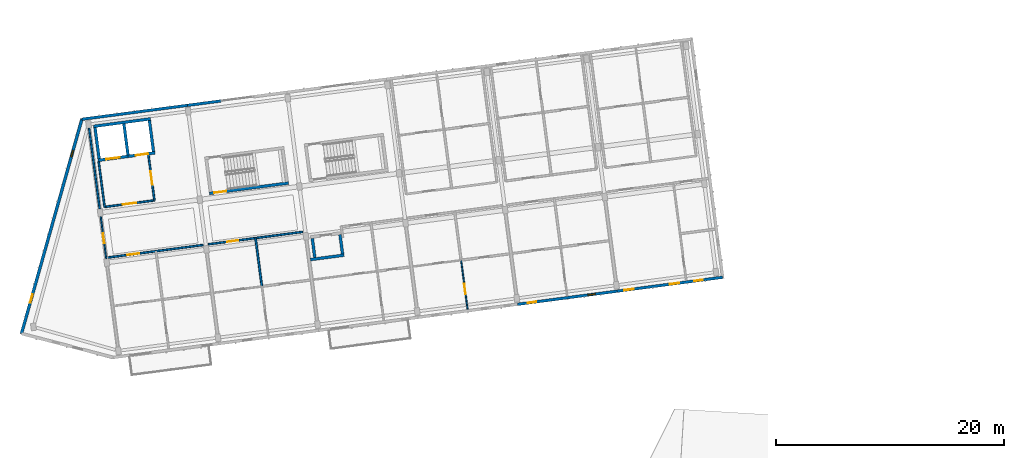
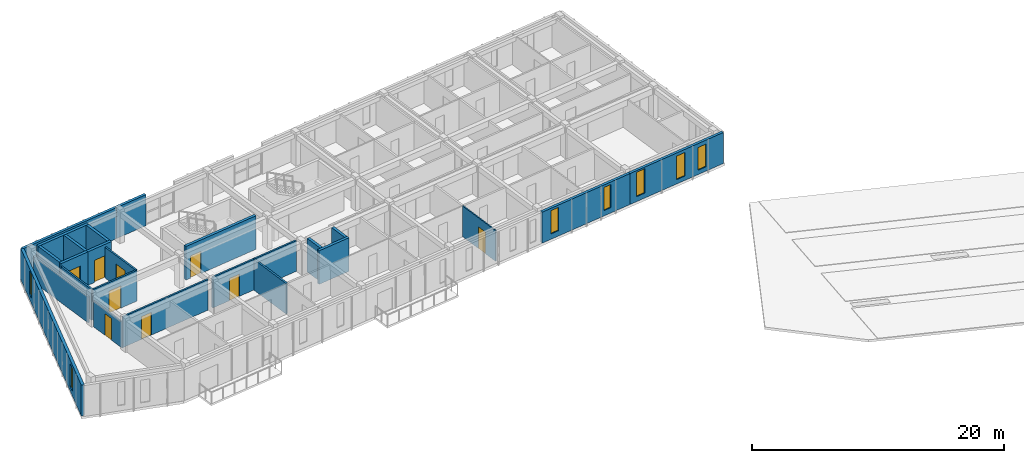
# One storey, part 12 of 34: 24 walls, 9 doors, 7 windows, 16 openings.
"""IFC4 building model written with IfcOpenShell, lengths in metres."""

from ifc_helpers import new_model, si_unit, direction, frame, frame_2d, origin, place, context, subcontext, project, spatial, rectangle, extrude, material, layer, layer_set, type_object, element, fill, save


model = new_model("IFC4")

# Units and contexts
model_context = context("Model", 3, precision=1e-05, world=origin(), true_north=direction((0.0, 1.0)))
body_context = subcontext(model_context, "Body", "Model", "MODEL_VIEW")
ifc_project = project(units=[si_unit("LENGTHUNIT", "METRE"), si_unit("AREAUNIT", "SQUARE_METRE"), si_unit("VOLUMEUNIT", "CUBIC_METRE"), si_unit("PLANEANGLEUNIT", "RADIAN"), si_unit("MASSUNIT", "GRAM", prefix="KILO")], contexts=[model_context])

# Site, building, storey
site_placement = place(None, origin())
site = spatial("IfcSite", under=ifc_project, at=site_placement, CompositionType="ELEMENT")
building_placement = place(site_placement, origin())
building = spatial("IfcBuilding", under=site, at=building_placement, Name="Kestramere Prow Commons", CompositionType="ELEMENT")
storey_placement = place(building_placement, frame((0.0, 0.0, 34.39990234375)))
storey = spatial("IfcBuildingStorey", under=building, at=storey_placement, Name="L10", CompositionType="ELEMENT", Elevation=34.39990234375)

# Wall, openings, windows
ifc_material_1 = material(Name="Weathered Zinc-Titanium Standing-Seam Cladding")
ifc_layer_1 = layer(ifc_material_1, 0.260009765625)
ifc_layer_set_1 = layer_set([ifc_layer_1], Name="Weathered Zinc-Titanium Standing-Seam Cladding")
wall_type_1 = type_object("IfcWallType", Name="EW-PROW-260", PredefinedType="SOLIDWALL", material=ifc_layer_set_1)
wall_1_placement = place(storey_placement, frame((2.7109375, 73.5048828125, 0.0), z_axis=(0.0, 0.0, 1.0), x_axis=(0.271165263368, 0.962532804606, 0.0)))
wall_1 = element("IfcWall", 1, at=wall_1_placement, inside=storey, type_object=wall_type_1, Name="Block A L10 PRW-N Facet Wall", PredefinedType="SOLIDWALL", context=body_context, shape_type="SweptSolid", body=[
    extrude(rectangle(XDim=19.5068359375, YDim=0.260009765625, at=frame_2d((9.75341796875, 0.0))), origin(), (0.0, 0.0, 1.0), 3.0),
])
opening_1_placement = place(wall_1_placement, frame((2.81005859375, 0.0, 0.449951171875)))
opening_1 = element("IfcOpeningElement", 2, at=opening_1_placement, cuts=wall_1, Name="Opening WN-11", PredefinedType="OPENING", context=body_context, shape_type="SweptSolid", body=[
    extrude(rectangle(XDim=0.780029296875, YDim=2.199951171875, at=frame_2d((0.39013671875, 1.10009765625))), frame((0.0, 0.14501953125, 0.0), z_axis=(0.0, -1.0, 0.0), x_axis=(1.0, 0.0, 0.0)), (0.0, 0.0, 1.0), 0.2900390625),
])
opening_2_placement = place(wall_1_placement, frame((16.076904296875, 0.0, 0.52001953125)))
opening_2 = element("IfcOpeningElement", 3, at=opening_2_placement, cuts=wall_1, Name="Opening WN-03", PredefinedType="OPENING", context=body_context, shape_type="SweptSolid", body=[
    extrude(rectangle(XDim=0.6201171875, YDim=2.280029296875, at=frame_2d((0.31005859375, 1.14013671875))), frame((0.0, 0.14501953125, 0.0), z_axis=(0.0, -1.0, 0.0), x_axis=(1.0, 0.0, 0.0)), (0.0, 0.0, 1.0), 0.2900390625),
])
ifc_material_2 = material(Name="Low-E Laminated Double Glazing", Category="glass")
window_type_1 = type_object("IfcWindowType", Name="WN-NAR-620A", PartitioningType="SINGLE_PANEL", PredefinedType="WINDOW", material=ifc_material_2)
window_1_placement = place(opening_2_placement, origin())
window_1 = element("IfcWindow", 4, at=window_1_placement, inside=storey, type_object=window_type_1, Name="WN-A-L10-PRW-N-1", OverallHeight=2.280029296875, OverallWidth=0.6201171875, PartitioningType="SINGLE_PANEL", PredefinedType="WINDOW", context=body_context, shape_type="SweptSolid", body=[
    extrude(rectangle(XDim=0.6201171875, YDim=2.280029296875, at=frame_2d((0.31005859375, 1.14013671875))), frame((0.0, 0.030029296875, 0.0), z_axis=(0.0, -1.0, 0.0), x_axis=(1.0, 0.0, 0.0)), (0.0, 0.0, 1.0), 0.06005859375),
])
fill(opening_2, window_1)
window_type_2 = type_object("IfcWindowType", Name="WN-NAR-780A", PartitioningType="SINGLE_PANEL", PredefinedType="WINDOW", material=ifc_material_2)
window_2_placement = place(opening_1_placement, origin())
window_2 = element("IfcWindow", 5, at=window_2_placement, inside=storey, type_object=window_type_2, Name="WN-A-L10-PRW-N-0", OverallHeight=2.199951171875, OverallWidth=0.780029296875, PartitioningType="SINGLE_PANEL", PredefinedType="WINDOW", context=body_context, shape_type="SweptSolid", body=[
    extrude(rectangle(XDim=0.780029296875, YDim=2.199951171875, at=frame_2d((0.39013671875, 1.10009765625))), frame((0.0, 0.030029296875, 0.0), z_axis=(0.0, -1.0, 0.0), x_axis=(1.0, 0.0, 0.0)), (0.0, 0.0, 1.0), 0.06005859375),
])
fill(opening_1, window_2)

ifc_material_3 = material(Name="Fluoropolymer Standing-Seam Zinc-Aluminium Cladding", Category="aluminium")
ifc_layer_2 = layer(ifc_material_3, 0.239990234375)
ifc_layer_set_2 = layer_set([ifc_layer_2], Name="Fluoropolymer Standing-Seam Zinc-Aluminium Cladding")
wall_type_2 = type_object("IfcWallType", Name="EW-SEAM-240", PredefinedType="SOLIDWALL", material=ifc_layer_set_2)
wall_2_placement = place(storey_placement, frame((54.89208984375, 77.22265625, 0.0), z_axis=(0.0, 0.0, 1.0), x_axis=(-0.991443905089, -0.130533455715, 0.0)))
wall_2 = element("IfcWall", 6, at=wall_2_placement, inside=storey, type_object=wall_type_2, Name="Block A L10 South Standing-Seam Wall 5", PredefinedType="SOLIDWALL", context=body_context, shape_type="SweptSolid", body=[
    extrude(rectangle(XDim=8.7998046875, YDim=0.239990234375, at=frame_2d((4.39990234375, 0.0))), origin(), (0.0, 0.0, 1.0), 3.0),
])
opening_3_placement = place(wall_2_placement, frame((1.927734375, 0.0, 0.52001953125)))
opening_3 = element("IfcOpeningElement", 7, at=opening_3_placement, cuts=wall_2, Name="Opening WN-06", PredefinedType="OPENING", context=body_context, shape_type="SweptSolid", body=[
    extrude(rectangle(XDim=0.679931640625, YDim=2.239990234375, at=frame_2d((0.33984375, 1.1201171875))), frame((0.0, 0.135009765625, 0.0), z_axis=(0.0, -1.0, 0.0), x_axis=(1.0, 0.0, 0.0)), (0.0, 0.0, 1.0), 0.27001953125),
])
opening_4_placement = place(wall_2_placement, frame((7.156005859375, 0.0, 0.52001953125)))
opening_4 = element("IfcOpeningElement", 8, at=opening_4_placement, cuts=wall_2, Name="Opening WN-09", PredefinedType="OPENING", context=body_context, shape_type="SweptSolid", body=[
    extrude(rectangle(XDim=0.739990234375, YDim=2.260009765625, at=frame_2d((0.3701171875, 1.1298828125))), frame((0.0, 0.135009765625, 0.0), z_axis=(0.0, -1.0, 0.0), x_axis=(1.0, 0.0, 0.0)), (0.0, 0.0, 1.0), 0.27001953125),
])
window_type_3 = type_object("IfcWindowType", Name="WN-NAR-680A", PartitioningType="SINGLE_PANEL", PredefinedType="WINDOW", material=ifc_material_2)
window_3_placement = place(opening_3_placement, origin())
window_3 = element("IfcWindow", 9, at=window_3_placement, inside=storey, type_object=window_type_3, Name="WN-A-L10-S-4-00", OverallHeight=2.239990234375, OverallWidth=0.679931640625, PartitioningType="SINGLE_PANEL", PredefinedType="WINDOW", context=body_context, shape_type="SweptSolid", body=[
    extrude(rectangle(XDim=0.679931640625, YDim=2.239990234375, at=frame_2d((0.33984375, 1.1201171875))), frame((0.0, 0.030029296875, 0.0), z_axis=(0.0, -1.0, 0.0), x_axis=(1.0, 0.0, 0.0)), (0.0, 0.0, 1.0), 0.06005859375),
])
fill(opening_3, window_3)
window_type_4 = type_object("IfcWindowType", Name="WN-NAR-740A", PartitioningType="SINGLE_PANEL", PredefinedType="WINDOW", material=ifc_material_2)
window_4_placement = place(opening_4_placement, origin())
window_4 = element("IfcWindow", 10, at=window_4_placement, inside=storey, type_object=window_type_4, Name="WN-A-L10-S-4-10", OverallHeight=2.260009765625, OverallWidth=0.739990234375, PartitioningType="SINGLE_PANEL", PredefinedType="WINDOW", context=body_context, shape_type="SweptSolid", body=[
    extrude(rectangle(XDim=0.739990234375, YDim=2.260009765625, at=frame_2d((0.3701171875, 1.1298828125))), frame((0.0, 0.030029296875, 0.0), z_axis=(0.0, -1.0, 0.0), x_axis=(1.0, 0.0, 0.0)), (0.0, 0.0, 1.0), 0.06005859375),
])
fill(opening_4, window_4)

wall_3_placement = place(storey_placement, frame((64.13720703125, 78.439697265625, 0.0), z_axis=(0.0, 0.0, 1.0), x_axis=(-0.991446273426, -0.130515466173, 0.0)))
wall_3 = element("IfcWall", 11, at=wall_3_placement, inside=storey, type_object=wall_type_2, Name="Block A L10 South Standing-Seam Wall 6", PredefinedType="SOLIDWALL", context=body_context, shape_type="SweptSolid", body=[
    extrude(rectangle(XDim=9.324951171875, YDim=0.239990234375, at=frame_2d((4.66259765625, 0.0))), origin(), (0.0, 0.0, 1.0), 3.0),
])
opening_5_placement = place(wall_3_placement, frame((1.747314453125, 0.0, 0.419921875)))
opening_5 = element("IfcOpeningElement", 12, at=opening_5_placement, cuts=wall_3, Name="Opening WN-11", PredefinedType="OPENING", context=body_context, shape_type="SweptSolid", body=[
    extrude(rectangle(XDim=0.780029296875, YDim=2.199951171875, at=frame_2d((0.39013671875, 1.10009765625))), frame((0.0, 0.135009765625, 0.0), z_axis=(0.0, -1.0, 0.0), x_axis=(1.0, 0.0, 0.0)), (0.0, 0.0, 1.0), 0.27001953125),
])
opening_6_placement = place(wall_3_placement, frame((3.8349609375, 0.0, 0.419921875)))
opening_6 = element("IfcOpeningElement", 13, at=opening_6_placement, cuts=wall_3, Name="Opening WN-14", PredefinedType="OPENING", context=body_context, shape_type="SweptSolid", body=[
    extrude(rectangle(XDim=0.840087890625, YDim=2.280029296875, at=frame_2d((0.419921875, 1.14013671875))), frame((0.0, 0.135009765625, 0.0), z_axis=(0.0, -1.0, 0.0), x_axis=(1.0, 0.0, 0.0)), (0.0, 0.0, 1.0), 0.27001953125),
])
opening_7_placement = place(wall_3_placement, frame((7.85498046875, 0.0, 0.47998046875)))
opening_7 = element("IfcOpeningElement", 14, at=opening_7_placement, cuts=wall_3, Name="Opening WN-15", PredefinedType="OPENING", context=body_context, shape_type="SweptSolid", body=[
    extrude(rectangle(XDim=0.860107421875, YDim=2.360107421875, at=frame_2d((0.43017578125, 1.18017578125))), frame((0.0, 0.135009765625, 0.0), z_axis=(0.0, -1.0, 0.0), x_axis=(1.0, 0.0, 0.0)), (0.0, 0.0, 1.0), 0.27001953125),
])
window_5_placement = place(opening_5_placement, origin())
window_5 = element("IfcWindow", 15, at=window_5_placement, inside=storey, type_object=window_type_2, Name="WN-A-L10-S-5-00", OverallHeight=2.199951171875, OverallWidth=0.780029296875, PartitioningType="SINGLE_PANEL", PredefinedType="WINDOW", context=body_context, shape_type="SweptSolid", body=[
    extrude(rectangle(XDim=0.780029296875, YDim=2.199951171875, at=frame_2d((0.39013671875, 1.10009765625))), frame((0.0, 0.030029296875, 0.0), z_axis=(0.0, -1.0, 0.0), x_axis=(1.0, 0.0, 0.0)), (0.0, 0.0, 1.0), 0.06005859375),
])
fill(opening_5, window_5)
window_type_5 = type_object("IfcWindowType", Name="WN-NAR-840A", PartitioningType="DOUBLE_PANEL_VERTICAL", PredefinedType="WINDOW", material=ifc_material_2)
window_6_placement = place(opening_6_placement, origin())
window_6 = element("IfcWindow", 16, at=window_6_placement, inside=storey, type_object=window_type_5, Name="WN-A-L10-S-5-10", OverallHeight=2.280029296875, OverallWidth=0.840087890625, PartitioningType="SINGLE_PANEL", PredefinedType="WINDOW", context=body_context, shape_type="SweptSolid", body=[
    extrude(rectangle(XDim=0.840087890625, YDim=2.280029296875, at=frame_2d((0.419921875, 1.14013671875))), frame((0.0, 0.030029296875, 0.0), z_axis=(0.0, -1.0, 0.0), x_axis=(1.0, 0.0, 0.0)), (0.0, 0.0, 1.0), 0.06005859375),
])
fill(opening_6, window_6)
window_type_6 = type_object("IfcWindowType", Name="WN-NAR-860A", PartitioningType="DOUBLE_PANEL_VERTICAL", PredefinedType="WINDOW", material=ifc_material_2)
window_7_placement = place(opening_7_placement, origin())
window_7 = element("IfcWindow", 17, at=window_7_placement, inside=storey, type_object=window_type_6, Name="WN-A-L10-S-5-11", OverallHeight=2.360107421875, OverallWidth=0.860107421875, PartitioningType="SINGLE_PANEL", PredefinedType="WINDOW", context=body_context, shape_type="SweptSolid", body=[
    extrude(rectangle(XDim=0.860107421875, YDim=2.360107421875, at=frame_2d((0.43017578125, 1.18017578125))), frame((0.0, 0.030029296875, 0.0), z_axis=(0.0, -1.0, 0.0), x_axis=(1.0, 0.0, 0.0)), (0.0, 0.0, 1.0), 0.06005859375),
])
fill(opening_7, window_7)

# Walls
wall_4_placement = place(storey_placement, frame((8.00048828125, 92.28076171875, 0.0), z_axis=(0.0, 0.0, 1.0), x_axis=(0.991442885224, 0.130541201693, 0.0)))
element("IfcWall", 18, at=wall_4_placement, inside=storey, type_object=wall_type_2, Name="Block A L10 North Standing-Seam Wall 1", PredefinedType="SOLIDWALL", context=body_context, shape_type="SweptSolid", body=[
    extrude(rectangle(XDim=9.324951171875, YDim=0.239990234375, at=frame_2d((4.66259765625, 0.0))), origin(), (0.0, 0.0, 1.0), 3.0),
])
wall_5_placement = place(storey_placement, frame((17.24560546875, 93.498046875, 0.0), z_axis=(0.0, 0.0, 1.0), x_axis=(0.991451502252, 0.130475739826, 0.0)))
element("IfcWall", 19, at=wall_5_placement, inside=storey, type_object=wall_type_2, Name="Block A L10 North Standing-Seam Pier 2L", PredefinedType="SOLIDWALL", context=body_context, shape_type="SweptSolid", body=[
    extrude(rectangle(XDim=2.97509765625, YDim=0.239990234375, at=frame_2d((1.487548828125, 0.0))), origin(), (0.0, 0.0, 1.0), 3.0),
])
ifc_material_4 = material(Name="Concrete C40/50", Category="concrete")
ifc_layer_3 = layer(ifc_material_4, 0.25)
ifc_layer_set_3 = layer_set([ifc_layer_3], Name="Concrete C40/50")
wall_type_3 = type_object("IfcWallType", Name="W-CORE-250", PredefinedType="SHEAR", material=ifc_layer_set_3)
wall_6_placement = place(storey_placement, frame((9.015380859375, 91.657958984375, 0.0), z_axis=(0.0, 0.0, 1.0), x_axis=(0.991444419808, 0.130529546201, 0.0)))
element("IfcWall", 20, at=wall_6_placement, inside=storey, type_object=wall_type_3, Name="Block A L10 Lift Core Back Wall", PredefinedType="SHEAR", context=body_context, shape_type="SweptSolid", body=[
    extrude(rectangle(XDim=5.050048828125, YDim=0.25, at=frame_2d((2.52490234375, 0.0))), origin(), (0.0, 0.0, 1.0), 3.25),
])

# Wall, opening, door
wall_7_placement = place(storey_placement, frame((9.406982421875, 88.68359375, 0.0), z_axis=(0.0, 0.0, 1.0), x_axis=(0.991434713833, 0.130603247307, 0.0)))
wall_7 = element("IfcWall", 21, at=wall_7_placement, inside=storey, type_object=wall_type_3, Name="Block A L10 Fire Lift Shaft Front Wall", PredefinedType="SHEAR", context=body_context, shape_type="SweptSolid", body=[
    extrude(rectangle(XDim=2.675048828125, YDim=0.25, at=frame_2d((1.33740234375, 0.0))), origin(), (0.0, 0.0, 1.0), 3.25),
])
opening_8_placement = place(wall_7_placement, frame((0.719970703125, 0.0, 0.0)))
opening_8 = element("IfcOpeningElement", 22, at=opening_8_placement, cuts=wall_7, Name="Opening LD-02", PredefinedType="OPENING", context=body_context, shape_type="SweptSolid", body=[
    extrude(rectangle(XDim=1.199951171875, YDim=2.199951171875, at=frame_2d((0.60009765625, 1.10009765625))), frame((0.0, 0.139892578125, 0.0), z_axis=(0.0, -1.0, 0.0), x_axis=(1.0, 0.0, 0.0)), (0.0, 0.0, 1.0), 0.280029296875),
])
ifc_material_5 = material(Name="Brushed Stainless Steel 316", Category="steel")
door_type_1 = type_object("IfcDoorType", Name="LD-02", OperationType="DOUBLE_DOOR_SLIDING", PredefinedType="DOOR", material=ifc_material_5)
door_1_placement = place(opening_8_placement, origin())
door_1 = element("IfcDoor", 23, at=door_1_placement, inside=storey, type_object=door_type_1, Name="FL-A1 L10 Lift Landing Door", OperationType="DOUBLE_DOOR_SLIDING", OverallHeight=2.199951171875, OverallWidth=1.199951171875, PredefinedType="DOOR", context=body_context, shape_type="SweptSolid", body=[
    extrude(rectangle(XDim=1.199951171875, YDim=2.199951171875, at=frame_2d((0.60009765625, 1.10009765625))), frame((0.0, 0.02490234375, 0.0), z_axis=(0.0, -1.0, 0.0), x_axis=(1.0, 0.0, 0.0)), (0.0, 0.0, 1.0), 0.050048828125),
])
fill(opening_8, door_1)

wall_8_placement = place(storey_placement, frame((12.05908203125, 89.032958984375, 0.0), z_axis=(0.0, 0.0, 1.0), x_axis=(0.99145534515, 0.130446535303, 0.0)))
wall_8 = element("IfcWall", 24, at=wall_8_placement, inside=storey, type_object=wall_type_3, Name="Block A L10 Passenger Lift Shaft Front Wall", PredefinedType="SHEAR", context=body_context, shape_type="SweptSolid", body=[
    extrude(rectangle(XDim=2.375, YDim=0.25, at=frame_2d((1.1875, 0.0))), origin(), (0.0, 0.0, 1.0), 3.25),
])
opening_9_placement = place(wall_8_placement, frame((0.64990234375, 0.0, 0.0)))
opening_9 = element("IfcOpeningElement", 25, at=opening_9_placement, cuts=wall_8, Name="Opening LD-01", PredefinedType="OPENING", context=body_context, shape_type="SweptSolid", body=[
    extrude(rectangle(XDim=1.10009765625, YDim=2.14990234375, at=frame_2d((0.550048828125, 1.074951171875))), frame((0.0, 0.139892578125, 0.0), z_axis=(0.0, -1.0, 0.0), x_axis=(1.0, 0.0, 0.0)), (0.0, 0.0, 1.0), 0.280029296875),
])
ifc_material_6 = material(Name="Brushed Stainless Steel 304", Category="steel")
door_type_2 = type_object("IfcDoorType", Name="LD-01", OperationType="DOUBLE_DOOR_SLIDING", PredefinedType="DOOR", material=ifc_material_6)
door_2_placement = place(opening_9_placement, origin())
door_2 = element("IfcDoor", 26, at=door_2_placement, inside=storey, type_object=door_type_2, Name="PL-A2 L10 Lift Landing Door", OperationType="DOUBLE_DOOR_SLIDING", OverallHeight=2.14990234375, OverallWidth=1.10009765625, PredefinedType="DOOR", context=body_context, shape_type="SweptSolid", body=[
    extrude(rectangle(XDim=1.10009765625, YDim=2.14990234375, at=frame_2d((0.550048828125, 1.074951171875))), frame((0.0, 0.02490234375, 0.0), z_axis=(0.0, -1.0, 0.0), x_axis=(1.0, 0.0, 0.0)), (0.0, 0.0, 1.0), 0.050048828125),
])
fill(opening_9, door_2)

# Walls
for number, where, z_axis, x_axis, name in (
    (27, (9.5146484375, 88.823974609375, 0.0), (0.0, 0.0, 1.0), (-0.130500441374, 0.991448251197, 0.0), "Block A L10 Lift Core Side Wall L"),
    (28, (12.042724609375, 89.15673828125, 0.0), (0.0, 0.0, 1.0), (-0.130500441374, 0.991448251197, 0.0), "Block A L10 Lift Core Side Wall M"),
    (29, (14.2734375, 89.450439453125, 0.0), (0.0, 0.0, 1.0), (-0.130500441374, 0.991448251197, 0.0), "Block A L10 Lift Core Side Wall R"),
):
    element("IfcWall", number, at=place(storey_placement, frame(where, z_axis=z_axis, x_axis=x_axis)), inside=storey, type_object=wall_type_3, Name=name, PredefinedType="SHEAR", context=body_context, shape_type="SweptSolid", body=[
        extrude(rectangle(XDim=2.75, YDim=0.25, at=frame_2d((1.375, 0.0))), origin(), (0.0, 0.0, 1.0), 3.25),
    ])

# Wall, opening, door
wall_9_placement = place(storey_placement, frame((19.169189453125, 85.783203125, 0.0), z_axis=(0.0, 0.0, 1.0), x_axis=(0.991446458634, 0.130514059249, 0.0)))
wall_9 = element("IfcWall", 30, at=wall_9_placement, inside=storey, type_object=wall_type_3, Name="ST-A1 L10 Corridor Shaft Wall", PredefinedType="SHEAR", context=body_context, shape_type="SweptSolid", body=[
    extrude(rectangle(XDim=6.999755859375, YDim=0.25, at=frame_2d((3.5, 0.0))), origin(), (0.0, 0.0, 1.0), 3.25),
])
opening_10_placement = place(wall_9_placement, frame((0.449951171875, 0.0, 0.0)))
opening_10 = element("IfcOpeningElement", 31, at=opening_10_placement, cuts=wall_9, Name="Opening ID-01", PredefinedType="OPENING", context=body_context, shape_type="SweptSolid", body=[
    extrude(rectangle(XDim=1.050048828125, YDim=2.14990234375, at=frame_2d((0.52490234375, 1.074951171875))), frame((0.0, 0.139892578125, 0.0), z_axis=(0.0, -1.0, 0.0), x_axis=(1.0, 0.0, 0.0)), (0.0, 0.0, 1.0), 0.280029296875),
])
ifc_material_7 = material(Name="Fire-Rated Timber and Steel Frame", Category="steel")
door_type_3 = type_object("IfcDoorType", Name="FD-ST-01", OperationType="NOTDEFINED", PredefinedType="DOOR", material=ifc_material_7)
door_3_placement = place(opening_10_placement, origin())
door_3 = element("IfcDoor", 32, at=door_3_placement, inside=storey, type_object=door_type_3, Name="ST-A1 L10 Protected Stair Door", OperationType="SINGLE_SWING_LEFT", OverallHeight=2.14990234375, OverallWidth=1.050048828125, PredefinedType="DOOR", context=body_context, shape_type="SweptSolid", body=[
    extrude(rectangle(XDim=1.050048828125, YDim=2.14990234375, at=frame_2d((0.52490234375, 1.074951171875))), frame((0.0, 0.02490234375, 0.0), z_axis=(0.0, -1.0, 0.0), x_axis=(1.0, 0.0, 0.0)), (0.0, 0.0, 1.0), 0.050048828125),
])
fill(opening_10, door_3)

ifc_material_8 = material(Name="Fire-Rated Calcium Silicate Wall")
ifc_layer_4 = layer(ifc_material_8, 0.155029296875)
ifc_layer_set_4 = layer_set([ifc_layer_4], Name="Fire-Rated Calcium Silicate Wall")
wall_type_4 = type_object("IfcWallType", Name="W-FIRE-150", PredefinedType="PARTITIONING", material=ifc_layer_set_4)
wall_10_placement = place(storey_placement, frame((9.994873046875, 84.6005859375, 0.0), z_axis=(0.0, 0.0, 1.0), x_axis=(0.991448440179, 0.130499005613, 0.0)))
wall_10 = element("IfcWall", 33, at=wall_10_placement, inside=storey, type_object=wall_type_4, Name="Interior Partition PW-A-L10-FFL-S", PredefinedType="PARTITIONING", context=body_context, shape_type="SweptSolid", body=[
    extrude(rectangle(XDim=4.400146484375, YDim=0.155029296875, at=frame_2d((2.2001953125, 0.0))), origin(), (0.0, 0.0, 1.0), 2.97021484375),
])
opening_11_placement = place(wall_10_placement, frame((1.60009765625, 0.0, 0.0)))
opening_11 = element("IfcOpeningElement", 34, at=opening_11_placement, cuts=wall_10, Name="Opening ID-03", PredefinedType="OPENING", context=body_context, shape_type="SweptSolid", body=[
    extrude(rectangle(XDim=1.179931640625, YDim=2.14990234375, at=frame_2d((0.58984375, 1.074951171875))), frame((0.0, 0.092529296875, 0.0), z_axis=(0.0, -1.0, 0.0), x_axis=(1.0, 0.0, 0.0)), (0.0, 0.0, 1.0), 0.18505859375),
])
ifc_material_9 = material(Name="Fire-Rated Glazed Smoke-Stop Door")
door_type_4 = type_object("IfcDoorType", Name="FD-LB-01", OperationType="NOTDEFINED", PredefinedType="DOOR", material=ifc_material_9)
door_4_placement = place(opening_11_placement, origin())
door_4 = element("IfcDoor", 35, at=door_4_placement, inside=storey, type_object=door_type_4, Name="Interior Door DR-A-L10-FFL", OperationType="SINGLE_SWING_LEFT", OverallHeight=2.14990234375, OverallWidth=1.179931640625, PredefinedType="DOOR", context=body_context, shape_type="SweptSolid", body=[
    extrude(rectangle(XDim=1.179931640625, YDim=2.14990234375, at=frame_2d((0.58984375, 1.074951171875))), frame((0.0, 0.02490234375, 0.0), z_axis=(0.0, -1.0, 0.0), x_axis=(1.0, 0.0, 0.0)), (0.0, 0.0, 1.0), 0.050048828125),
])
fill(opening_11, door_4)

# Wall
wall_11_placement = place(storey_placement, frame((9.994873046875, 84.6005859375, 0.0), z_axis=(0.0, 0.0, 1.0), x_axis=(-0.130492404742, 0.991449308994, 0.0)))
element("IfcWall", 36, at=wall_11_placement, inside=storey, type_object=wall_type_4, Name="Interior Partition PW-A-L10-FFL-W", PredefinedType="PARTITIONING", context=body_context, shape_type="SweptSolid", body=[
    extrude(rectangle(XDim=4.0, YDim=0.155029296875, at=frame_2d((2.0, 0.0))), origin(), (0.0, 0.0, 1.0), 2.97021484375),
])

# Wall, opening, door
wall_12_placement = place(storey_placement, frame((14.357421875, 85.1748046875, 0.0), z_axis=(0.0, 0.0, 1.0), x_axis=(-0.130552399509, 0.991441410766, 0.0)))
wall_12 = element("IfcWall", 37, at=wall_12_placement, inside=storey, type_object=wall_type_4, Name="Interior Partition PW-A-L10-FFL-E", PredefinedType="PARTITIONING", context=body_context, shape_type="SweptSolid", body=[
    extrude(rectangle(XDim=4.0, YDim=0.155029296875, at=frame_2d((2.0, 0.0))), origin(), (0.0, 0.0, 1.0), 2.97021484375),
])
opening_12_placement = place(wall_12_placement, frame((1.39990234375, 0.0, 0.0)))
opening_12 = element("IfcOpeningElement", 38, at=opening_12_placement, cuts=wall_12, Name="Opening ID-03", PredefinedType="OPENING", context=body_context, shape_type="SweptSolid", body=[
    extrude(rectangle(XDim=1.179931640625, YDim=2.14990234375, at=frame_2d((0.58984375, 1.074951171875))), frame((0.0, 0.092529296875, 0.0), z_axis=(0.0, -1.0, 0.0), x_axis=(1.0, 0.0, 0.0)), (0.0, 0.0, 1.0), 0.18505859375),
])
door_5_placement = place(opening_12_placement, origin())
door_5 = element("IfcDoor", 39, at=door_5_placement, inside=storey, type_object=door_type_4, Name="Interior Door DR-A-L10-FFL-PL", OperationType="SINGLE_SWING_LEFT", OverallHeight=2.14990234375, OverallWidth=1.179931640625, PredefinedType="DOOR", context=body_context, shape_type="SweptSolid", body=[
    extrude(rectangle(XDim=1.179931640625, YDim=2.14990234375, at=frame_2d((0.58984375, 1.074951171875))), frame((0.0, 0.02490234375, 0.0), z_axis=(0.0, -1.0, 0.0), x_axis=(1.0, 0.0, 0.0)), (0.0, 0.0, 1.0), 0.050048828125),
])
fill(opening_12, door_5)

wall_13_placement = place(storey_placement, frame((10.196533203125, 80.158935546875, 0.0), z_axis=(0.0, 0.0, 1.0), x_axis=(0.991447642549, 0.130505065361, 0.0)))
wall_13 = element("IfcWall", 40, at=wall_13_placement, inside=storey, type_object=wall_type_4, Name="Interior Partition PW-A-L10-CS-0", PredefinedType="PARTITIONING", context=body_context, shape_type="SweptSolid", body=[
    extrude(rectangle(XDim=8.4951171875, YDim=0.155029296875, at=frame_2d((4.24755859375, 0.0))), origin(), (0.0, 0.0, 1.0), 2.97021484375),
])
opening_13_placement = place(wall_13_placement, frame((1.820068359375, 0.0, 0.0)))
opening_13 = element("IfcOpeningElement", 41, at=opening_13_placement, cuts=wall_13, Name="Opening ID-05", PredefinedType="OPENING", context=body_context, shape_type="SweptSolid", body=[
    extrude(rectangle(XDim=1.02001953125, YDim=2.199951171875, at=frame_2d((0.510009765625, 1.10009765625))), frame((0.0, 0.092529296875, 0.0), z_axis=(0.0, -1.0, 0.0), x_axis=(1.0, 0.0, 0.0)), (0.0, 0.0, 1.0), 0.18505859375),
])
ifc_material_10 = material(Name="Hardwood Fire-Rated Flat Entrance Door", Category="wood")
door_type_5 = type_object("IfcDoorType", Name="FD-ENT-02", OperationType="NOTDEFINED", PredefinedType="DOOR", material=ifc_material_10)
door_6_placement = place(opening_13_placement, origin())
door_6 = element("IfcDoor", 42, at=door_6_placement, inside=storey, type_object=door_type_5, Name="Interior Door DR-A-L10-ENT-S0", OperationType="SINGLE_SWING_LEFT", OverallHeight=2.199951171875, OverallWidth=1.02001953125, PredefinedType="DOOR", context=body_context, shape_type="SweptSolid", body=[
    extrude(rectangle(XDim=1.02001953125, YDim=2.199951171875, at=frame_2d((0.510009765625, 1.10009765625))), frame((0.0, 0.02490234375, 0.0), z_axis=(0.0, -1.0, 0.0), x_axis=(1.0, 0.0, 0.0)), (0.0, 0.0, 1.0), 0.050048828125),
])
fill(opening_13, door_6)

wall_14_placement = place(storey_placement, frame((19.084716796875, 81.3291015625, 0.0), z_axis=(0.0, 0.0, 1.0), x_axis=(0.991446911972, 0.130510615437, 0.0)))
wall_14 = element("IfcWall", 43, at=wall_14_placement, inside=storey, type_object=wall_type_4, Name="Interior Partition PW-A-L10-CS-1", PredefinedType="PARTITIONING", context=body_context, shape_type="SweptSolid", body=[
    extrude(rectangle(XDim=8.330078125, YDim=0.155029296875, at=frame_2d((4.1650390625, 0.0))), origin(), (0.0, 0.0, 1.0), 2.97021484375),
])
opening_14_placement = place(wall_14_placement, frame((1.655029296875, 0.0, 0.0)))
opening_14 = element("IfcOpeningElement", 44, at=opening_14_placement, cuts=wall_14, Name="Opening ID-04", PredefinedType="OPENING", context=body_context, shape_type="SweptSolid", body=[
    extrude(rectangle(XDim=0.97998046875, YDim=2.14990234375, at=frame_2d((0.489990234375, 1.074951171875))), frame((0.0, 0.092529296875, 0.0), z_axis=(0.0, -1.0, 0.0), x_axis=(1.0, 0.0, 0.0)), (0.0, 0.0, 1.0), 0.18505859375),
])
door_type_6 = type_object("IfcDoorType", Name="FD-ENT-01", OperationType="NOTDEFINED", PredefinedType="DOOR", material=ifc_material_10)
door_7_placement = place(opening_14_placement, origin())
door_7 = element("IfcDoor", 45, at=door_7_placement, inside=storey, type_object=door_type_6, Name="Interior Door DR-A-L10-ENT-S1", OperationType="SINGLE_SWING_RIGHT", OverallHeight=2.14990234375, OverallWidth=0.97998046875, PredefinedType="DOOR", context=body_context, shape_type="SweptSolid", body=[
    extrude(rectangle(XDim=0.97998046875, YDim=2.14990234375, at=frame_2d((0.489990234375, 1.074951171875))), frame((0.0, 0.02490234375, 0.0), z_axis=(0.0, -1.0, 0.0), x_axis=(1.0, 0.0, 0.0)), (0.0, 0.0, 1.0), 0.050048828125),
])
fill(opening_14, door_7)

# Walls
ifc_layer_5 = layer(ifc_material_4, 0.25)
ifc_layer_set_5 = layer_set([ifc_layer_5], Name="Concrete C40/50")
wall_type_5 = type_object("IfcWallType", Name="W-HS-250", PredefinedType="SHEAR", material=ifc_layer_set_5)
wall_15_placement = place(storey_placement, frame((28.01123046875, 79.987548828125, 0.0), z_axis=(0.0, 0.0, 1.0), x_axis=(0.991439837467, 0.130564346904, 0.0)))
element("IfcWall", 46, at=wall_15_placement, inside=storey, type_object=wall_type_5, Name="Block A L10 Household Shelter South Wall", PredefinedType="SHEAR", context=body_context, shape_type="SweptSolid", body=[
    extrude(rectangle(XDim=2.989990234375, YDim=0.25, at=frame_2d((1.4951171875, 0.0))), origin(), (0.0, 0.0, 1.0), 3.25),
])
wall_16_placement = place(storey_placement, frame((28.40625, 80.165771484375, 0.0), z_axis=(0.0, 0.0, 1.0), x_axis=(-0.130413643681, 0.991459672171, 0.0)))
element("IfcWall", 47, at=wall_16_placement, inside=storey, type_object=wall_type_5, Name="Block A L10 Household Shelter W Wall", PredefinedType="SHEAR", context=body_context, shape_type="SweptSolid", body=[
    extrude(rectangle(XDim=1.69970703125, YDim=0.25, at=frame_2d((0.849853515625, 0.0))), origin(), (0.0, 0.0, 1.0), 3.25),
])
wall_17_placement = place(storey_placement, frame((30.83544921875, 80.485595703125, 0.0), z_axis=(0.0, 0.0, 1.0), x_axis=(-0.1305548243, 0.991441091468, 0.0)))
element("IfcWall", 48, at=wall_17_placement, inside=storey, type_object=wall_type_5, Name="Block A L10 Household Shelter E Wall", PredefinedType="SHEAR", context=body_context, shape_type="SweptSolid", body=[
    extrude(rectangle(XDim=1.699951171875, YDim=0.25, at=frame_2d((0.85009765625, 0.0))), origin(), (0.0, 0.0, 1.0), 3.25),
])

# Wall, opening, door
ifc_material_11 = material(Name="Gypsum Acoustic Drywall")
ifc_layer_6 = layer(ifc_material_11, 0.110107421875)
ifc_layer_set_6 = layer_set([ifc_layer_6], Name="Gypsum Acoustic Drywall")
wall_type_6 = type_object("IfcWallType", Name="W-PART-110", PredefinedType="PARTITIONING", material=ifc_layer_set_6)
wall_18_placement = place(storey_placement, frame((41.787353515625, 75.633544921875, 0.0), z_axis=(0.0, 0.0, 1.0), x_axis=(-0.130505442025, 0.991447592968, 0.0)))
wall_18 = element("IfcWall", 49, at=wall_18_placement, inside=storey, type_object=wall_type_6, Name="Interior Partition PW-A-L10-LB-S3", PredefinedType="PARTITIONING", context=body_context, shape_type="SweptSolid", body=[
    extrude(rectangle(XDim=4.340087890625, YDim=0.110107421875, at=frame_2d((2.169921875, 0.0))), origin(), (0.0, 0.0, 1.0), 2.97021484375),
])
opening_15_placement = place(wall_18_placement, frame((1.35009765625, 0.0, 0.0)))
opening_15 = element("IfcOpeningElement", 50, at=opening_15_placement, cuts=wall_18, Name="Opening ID-08", PredefinedType="OPENING", context=body_context, shape_type="SweptSolid", body=[
    extrude(rectangle(XDim=0.89990234375, YDim=2.10009765625, at=frame_2d((0.449951171875, 1.050048828125))), frame((0.0, 0.070068359375, 0.0), z_axis=(0.0, -1.0, 0.0), x_axis=(1.0, 0.0, 0.0)), (0.0, 0.0, 1.0), 0.14013671875),
])
ifc_material_12 = material(Name="Engineered Timber Flush Door", Category="wood")
door_type_7 = type_object("IfcDoorType", Name="D-RM-01", OperationType="NOTDEFINED", PredefinedType="DOOR", material=ifc_material_12)
door_8_placement = place(opening_15_placement, origin())
door_8 = element("IfcDoor", 51, at=door_8_placement, inside=storey, type_object=door_type_7, Name="Interior Door DR-A-L10-BED-S3", OperationType="SINGLE_SWING_RIGHT", OverallHeight=2.10009765625, OverallWidth=0.89990234375, PredefinedType="DOOR", context=body_context, shape_type="SweptSolid", body=[
    extrude(rectangle(XDim=0.89990234375, YDim=2.10009765625, at=frame_2d((0.449951171875, 1.050048828125))), frame((0.0, 0.02490234375, 0.0), z_axis=(0.0, -1.0, 0.0), x_axis=(1.0, 0.0, 0.0)), (0.0, 0.0, 1.0), 0.050048828125),
])
fill(opening_15, door_8)

ifc_material_13 = material(Name="Lightweight Blockwork and Plaster", Category="masonry")
ifc_layer_7 = layer(ifc_material_13, 0.1201171875)
ifc_layer_set_7 = layer_set([ifc_layer_7], Name="Lightweight Blockwork and Plaster")
wall_type_7 = type_object("IfcWallType", Name="W-PART-120", PredefinedType="PARTITIONING", material=ifc_layer_set_7)
wall_19_placement = place(storey_placement, frame((10.13818359375, 80.0654296875, 0.0), z_axis=(0.0, 0.0, 1.0), x_axis=(-0.130517160134, 0.991446050429, 0.0)))
wall_19 = element("IfcWall", 52, at=wall_19_placement, inside=storey, type_object=wall_type_7, Name="Interior Partition PW-A-L10-PROW-ACC", PredefinedType="PARTITIONING", context=body_context, shape_type="SweptSolid", body=[
    extrude(rectangle(XDim=3.72998046875, YDim=0.1201171875, at=frame_2d((1.864990234375, 0.0))), origin(), (0.0, 0.0, 1.0), 2.5),
])
opening_16_placement = place(wall_19_placement, frame((1.35009765625, 0.0, 0.0)))
opening_16 = element("IfcOpeningElement", 53, at=opening_16_placement, cuts=wall_19, Name="Opening ID-10", PredefinedType="OPENING", context=body_context, shape_type="SweptSolid", body=[
    extrude(rectangle(XDim=0.8798828125, YDim=2.10009765625, at=frame_2d((0.43994140625, 1.050048828125))), frame((0.0, 0.074951171875, 0.0), z_axis=(0.0, -1.0, 0.0), x_axis=(1.0, 0.0, 0.0)), (0.0, 0.0, 1.0), 0.150146484375),
])
ifc_material_14 = material(Name="Engineered Timber Bedroom Door", Category="wood")
door_type_8 = type_object("IfcDoorType", Name="D-RM-03", OperationType="NOTDEFINED", PredefinedType="DOOR", material=ifc_material_14)
door_9_placement = place(opening_16_placement, origin())
door_9 = element("IfcDoor", 54, at=door_9_placement, inside=storey, type_object=door_type_8, Name="Interior Door DR-A-L10-PROW", OperationType="SINGLE_SWING_LEFT", OverallHeight=2.10009765625, OverallWidth=0.8798828125, PredefinedType="DOOR", context=body_context, shape_type="SweptSolid", body=[
    extrude(rectangle(XDim=0.8798828125, YDim=2.10009765625, at=frame_2d((0.43994140625, 1.050048828125))), frame((0.0, 0.02490234375, 0.0), z_axis=(0.0, -1.0, 0.0), x_axis=(1.0, 0.0, 0.0)), (0.0, 0.0, 1.0), 0.050048828125),
])
fill(opening_16, door_9)

# Walls
ifc_material_15 = material(Name="Masonry Compartment Wall", Category="masonry")
ifc_layer_8 = layer(ifc_material_15, 0.14990234375)
ifc_layer_set_8 = layer_set([ifc_layer_8], Name="Masonry Compartment Wall")
wall_type_8 = type_object("IfcWallType", Name="W-PART-150", PredefinedType="PARTITIONING", material=ifc_layer_set_8)
wall_20_placement = place(storey_placement, frame((9.56396484375, 84.427734375, 0.0), z_axis=(0.0, 0.0, 1.0), x_axis=(-0.130526257258, 0.991444852811, 0.0)))
element("IfcWall", 55, at=wall_20_placement, inside=storey, type_object=wall_type_8, Name="Interior Partition PW-A-L10-PRW-N", PredefinedType="PARTITIONING", context=body_context, shape_type="SweptSolid", body=[
    extrude(rectangle(XDim=7.130126953125, YDim=0.14990234375, at=frame_2d((3.56494140625, 0.0))), origin(), (0.0, 0.0, 1.0), 2.5),
])
ifc_material_16 = material(Name="Waterproof Sanitary Masonry Wall", Category="masonry")
ifc_layer_9 = layer(ifc_material_16, 0.1650390625)
ifc_layer_set_9 = layer_set([ifc_layer_9], Name="Waterproof Sanitary Masonry Wall")
wall_type_9 = type_object("IfcWallType", Name="W-PLUMB-150", PredefinedType="PLUMBINGWALL", material=ifc_layer_set_9)
wall_21_placement = place(storey_placement, frame((23.771484375, 77.63916015625, 0.0), z_axis=(0.0, 0.0, 1.0), x_axis=(-0.13053438047, 0.991443783336, 0.0)))
element("IfcWall", 56, at=wall_21_placement, inside=storey, type_object=wall_type_9, Name="Interior Partition PW-A-L10-KB-S1", PredefinedType="PLUMBINGWALL", context=body_context, shape_type="SweptSolid", body=[
    extrude(rectangle(XDim=4.27001953125, YDim=0.1650390625, at=frame_2d((2.135009765625, 0.0))), origin(), (0.0, 0.0, 1.0), 2.97021484375),
])

save(model, "model.ifc")
